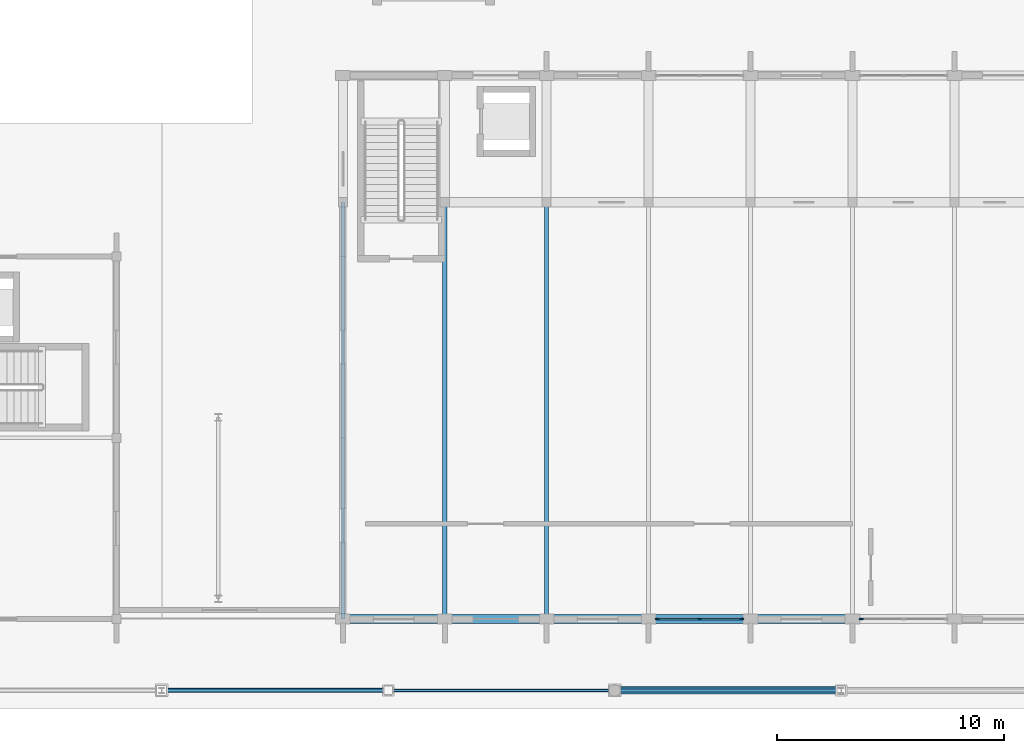
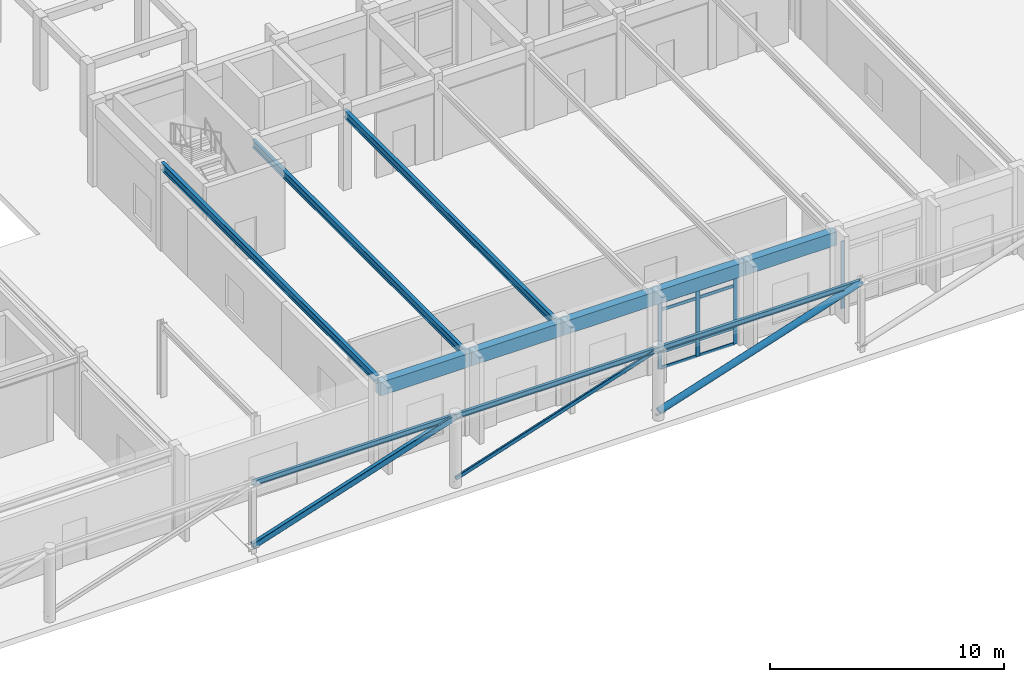
# One storey, part 12 of 61: 15 members, 11 beams, 2 elements without a shape of their own.
"""IFC4 building model written with IfcOpenShell, lengths in metres."""

from ifc_helpers import new_model, si_unit, direction, frame, origin, origin_2d, place, context, subcontext, project, spatial, rectangle, hollow_rectangle, hollow_circle, i_section, extrude, material, material_profile, profile_set, type_object, element, aggregate, save


model = new_model("IFC4")

# Units and contexts
model_context = context("Model", 3, precision=1e-05, world=origin(), true_north=direction((0.0, 1.0)))
body_context = subcontext(model_context, "Body", "Model", "MODEL_VIEW")
ifc_project = project(units=[si_unit("LENGTHUNIT", "METRE"), si_unit("AREAUNIT", "SQUARE_METRE"), si_unit("VOLUMEUNIT", "CUBIC_METRE"), si_unit("PLANEANGLEUNIT", "RADIAN"), si_unit("MASSUNIT", "GRAM", prefix="KILO")], contexts=[model_context])

# Site, building, storey
site_placement = place(None, origin())
site = spatial("IfcSite", under=ifc_project, at=site_placement, CompositionType="ELEMENT")
building_placement = place(site_placement, origin())
building = spatial("IfcBuilding", under=site, at=building_placement, Name="Zimvara Arc Housing Community", CompositionType="ELEMENT")
storey_placement = place(building_placement, origin())
storey = spatial("IfcBuildingStorey", under=building, at=storey_placement, Name="L00", CompositionType="ELEMENT", Elevation=0.0)

# Beams
ifc_material_1 = material(Name="Concrete C40/50", Category="concrete")
ifc_material_profile_1 = material_profile(ifc_material_1, rectangle(XDim=0.39990234375, YDim=0.699951171875, at=origin_2d()), Name="RC 400x700")
ifc_profile_set_1 = profile_set([ifc_material_profile_1], Name="Concrete C40/50")
beam_type_1 = type_object("IfcBeamType", Name="BM-RC-400x700", PredefinedType="BEAM", material=ifc_profile_set_1)
for number, where, z_axis, x_axis, name in (
    (1, (68.0, 3.60009765625, 3.889892578125), (1.0, 0.0, 0.0), (0.0, 1.0, 0.0), "bm:hall:L00:long:y0:b0"),
    (2, (72.5, 3.60009765625, 3.889892578125), (1.0, 0.0, 0.0), (0.0, 1.0, 0.0), "bm:hall:L00:long:y0:b1"),
    (3, (77.0, 3.60009765625, 3.889892578125), (1.0, 0.0, 0.0), (0.0, 1.0, 0.0), "bm:hall:L00:long:y0:b2"),
    (4, (81.5, 3.60009765625, 3.889892578125), (1.0, 0.0, 0.0), (0.0, 1.0, 0.0), "bm:hall:L00:long:y0:b3"),
    (5, (86.0, 3.60009765625, 3.889892578125), (1.0, 0.0, 0.0), (0.0, 1.0, 0.0), "bm:hall:L00:long:y0:b4"),
):
    element("IfcBeam", number, at=place(storey_placement, frame(where, z_axis=z_axis, x_axis=x_axis)), inside=storey, type_object=beam_type_1, Name=name, PredefinedType="BEAM", context=body_context, shape_type="SweptSolid", body=[
        extrude(rectangle(XDim=0.39990234375, YDim=0.699951171875, at=origin_2d()), origin(), (0.0, 0.0, 1.0), 4.5),
    ])
ifc_material_2 = material(Name="Steel S355", Category="steel")
ifc_material_profile_2 = material_profile(ifc_material_2, i_section(OverallWidth=0.135009765625, OverallDepth=0.27001953125, WebThickness=0.006591796875, FlangeThickness=0.01025390625, FilletRadius=0.014892578125, at=origin_2d()), Name="IPE 270")
ifc_profile_set_2 = profile_set([ifc_material_profile_2], Name="Steel S355")
beam_type_2 = type_object("IfcBeamType", Name="BM-ST-IPE270", PredefinedType="JOIST", material=ifc_profile_set_2)
for number, where, z_axis, x_axis, name in (
    (6, (60.0, 0.449951171875, 3.60009765625), (1.0, 0.0, 0.0), (0.0, 1.0, 0.0), "bm:colonnade:L00:s1:60"),
    (7, (70.0, 0.449951171875, 3.60009765625), (1.0, 0.0, 0.0), (0.0, 1.0, 0.0), "bm:colonnade:L00:s1:70"),
    (8, (80.0, 0.449951171875, 3.60009765625), (1.0, 0.0, 0.0), (0.0, 1.0, 0.0), "bm:colonnade:L00:s1:80"),
):
    element("IfcBeam", number, at=place(storey_placement, frame(where, z_axis=z_axis, x_axis=x_axis)), inside=storey, type_object=beam_type_2, Name=name, PredefinedType="JOIST", context=body_context, shape_type="SweptSolid", body=[
        extrude(i_section(OverallWidth=0.135009765625, OverallDepth=0.27001953125, WebThickness=0.006591796875, FlangeThickness=0.01025390625, FilletRadius=0.014892578125, at=origin_2d()), origin(), (0.0, 0.0, 1.0), 10.0),
    ])
ifc_material_3 = material(Name="Steel S355", Category="steel")
ifc_material_profile_3 = material_profile(ifc_material_3, i_section(OverallWidth=0.179931640625, OverallDepth=0.39990234375, WebThickness=0.008544921875, FlangeThickness=0.013427734375, FilletRadius=0.02099609375, at=origin_2d()), Name="IPE 400")
ifc_profile_set_3 = profile_set([ifc_material_profile_3], Name="Steel S355")
beam_type_3 = type_object("IfcBeamType", Name="BM-ST-IPE400", PredefinedType="BEAM", material=ifc_profile_set_3)
for number, where, z_axis, x_axis, name in (
    (9, (68.0, 3.60009765625, 4.300048828125), (0.0, 1.0, 0.0), (-1.0, 0.0, 0.0), "bm:hall:L00:trans1:x0"),
    (10, (72.5, 3.60009765625, 3.889892578125), (0.0, 1.0, 0.0), (-1.0, 0.0, 0.0), "bm:hall:L00:trans1:x1"),
    (11, (77.0, 3.60009765625, 3.889892578125), (0.0, 1.0, 0.0), (-1.0, 0.0, 0.0), "bm:hall:L00:trans1:x2"),
):
    element("IfcBeam", number, at=place(storey_placement, frame(where, z_axis=z_axis, x_axis=x_axis)), inside=storey, type_object=beam_type_3, Name=name, PredefinedType="BEAM", context=body_context, shape_type="SweptSolid", body=[
        extrude(i_section(OverallWidth=0.179931640625, OverallDepth=0.39990234375, WebThickness=0.008544921875, FlangeThickness=0.013427734375, FilletRadius=0.02099609375, at=origin_2d()), origin(), (0.0, 0.0, 1.0), 18.39990234375),
    ])

# Curtain wall, member
ifc_material_4 = material(Name="Anodised Aluminium AW-6063", Category="aluminium")
curtain_wall_type_1 = type_object("IfcCurtainWallType", Name="CW-SYS-08", PredefinedType="USERDEFINED", material=ifc_material_4)
curtain_wall_1_placement = place(storey_placement, origin())
curtain_wall_1 = element("IfcCurtainWall", 12, at=curtain_wall_1_placement, inside=storey, type_object=curtain_wall_type_1, Name="cw:hall:L00:south:b5", ObjectType="CURTAIN WALL", PredefinedType="USERDEFINED")
ifc_material_5 = material(Name="Anodised Aluminium AW-6063", Category="aluminium")
ifc_material_profile_4 = material_profile(ifc_material_5, rectangle(XDim=0.06494140625, YDim=0.179931640625, at=origin_2d()), Name="ALU 65x180")
ifc_profile_set_4 = profile_set([ifc_material_profile_4], Name="Anodised Aluminium AW-6063")
member_type_1 = type_object("IfcMemberType", Name="CWM-65x150", PredefinedType="MULLION", material=ifc_profile_set_4)
member_1_placement = place(storey_placement, frame((90.892578125, 3.60009765625, 0.0), z_axis=(0.0, 0.0, 1.0), x_axis=(0.0, 1.0, 0.0)))
member_1 = element("IfcMember", 13, at=member_1_placement, type_object=member_type_1, Name="CW08 mullion 1", PredefinedType="MULLION", context=body_context, shape_type="SweptSolid", body=[
    extrude(rectangle(XDim=0.06494140625, YDim=0.179931640625, at=origin_2d()), origin(), (0.0, 0.0, 1.0), 3.5),
])
aggregate(curtain_wall_1, [member_1])

# Curtain wall, members
ifc_material_6 = material(Name="Anodised Aluminium AW-6063", Category="aluminium")
curtain_wall_type_2 = type_object("IfcCurtainWallType", Name="CW-SYS-07", PredefinedType="USERDEFINED", material=ifc_material_6)
curtain_wall_2_placement = place(storey_placement, origin())
curtain_wall_2 = element("IfcCurtainWall", 14, at=curtain_wall_2_placement, inside=storey, type_object=curtain_wall_type_2, Name="cw:hall:L00:south:b3", ObjectType="CURTAIN WALL", PredefinedType="USERDEFINED")
ifc_material_7 = material(Name="Anodised Aluminium AW-6063", Category="aluminium")
ifc_material_profile_5 = material_profile(ifc_material_7, rectangle(XDim=0.06494140625, YDim=0.195068359375, at=origin_2d()), Name="ALU 65x195")
ifc_profile_set_5 = profile_set([ifc_material_profile_5], Name="Anodised Aluminium AW-6063")
member_type_2 = type_object("IfcMemberType", Name="CWM-65x180", PredefinedType="MULLION", material=ifc_profile_set_5)
member_2_placement = place(storey_placement, frame((81.892578125, 3.60009765625, 0.0), z_axis=(0.0, 0.0, 1.0), x_axis=(0.0, 1.0, 0.0)))
member_2 = element("IfcMember", 15, at=member_2_placement, type_object=member_type_2, Name="CW07 mullion 1", PredefinedType="MULLION", context=body_context, shape_type="SweptSolid", body=[
    extrude(rectangle(XDim=0.06494140625, YDim=0.195068359375, at=origin_2d()), origin(), (0.0, 0.0, 1.0), 3.5),
])
member_3_placement = place(storey_placement, frame((83.75, 3.60009765625, 0.0), z_axis=(0.0, 0.0, 1.0), x_axis=(0.0, 1.0, 0.0)))
member_3 = element("IfcMember", 16, at=member_3_placement, type_object=member_type_2, Name="CW07 mullion 2", PredefinedType="MULLION", context=body_context, shape_type="SweptSolid", body=[
    extrude(rectangle(XDim=0.06494140625, YDim=0.195068359375, at=origin_2d()), origin(), (0.0, 0.0, 1.0), 3.5),
])
member_4_placement = place(storey_placement, frame((85.607421875, 3.60009765625, 0.0), z_axis=(0.0, 0.0, 1.0), x_axis=(0.0, 1.0, 0.0)))
member_4 = element("IfcMember", 17, at=member_4_placement, type_object=member_type_2, Name="CW07 mullion 3", PredefinedType="MULLION", context=body_context, shape_type="SweptSolid", body=[
    extrude(rectangle(XDim=0.06494140625, YDim=0.195068359375, at=origin_2d()), origin(), (0.0, 0.0, 1.0), 3.5),
])
ifc_material_8 = material(Name="Anodised Aluminium AW-6063", Category="aluminium")
ifc_material_profile_6 = material_profile(ifc_material_8, rectangle(XDim=0.06494140625, YDim=0.155029296875, at=origin_2d()), Name="ALU 65x155")
ifc_profile_set_6 = profile_set([ifc_material_profile_6], Name="Anodised Aluminium AW-6063")
member_type_3 = type_object("IfcMemberType", Name="CWT-65x140", PredefinedType="USERDEFINED", material=ifc_profile_set_6)
member_5_placement = place(storey_placement, frame((81.925048828125, 3.60009765625, 0.032470703125), z_axis=(1.0, 0.0, 0.0), x_axis=(0.0, 1.0, 0.0)))
member_5 = element("IfcMember", 18, at=member_5_placement, type_object=member_type_3, Name="CW07 transom 1.1", ObjectType="TRANSOM", PredefinedType="USERDEFINED", context=body_context, shape_type="SweptSolid", body=[
    extrude(rectangle(XDim=0.06494140625, YDim=0.155029296875, at=origin_2d()), origin(), (0.0, 0.0, 1.0), 1.79248046875),
])
member_6_placement = place(storey_placement, frame((81.925048828125, 3.60009765625, 0.85009765625), z_axis=(1.0, 0.0, 0.0), x_axis=(0.0, 1.0, 0.0)))
member_6 = element("IfcMember", 19, at=member_6_placement, type_object=member_type_3, Name="CW07 transom 1.2", ObjectType="TRANSOM", PredefinedType="USERDEFINED", context=body_context, shape_type="SweptSolid", body=[
    extrude(rectangle(XDim=0.06494140625, YDim=0.155029296875, at=origin_2d()), origin(), (0.0, 0.0, 1.0), 1.79248046875),
])
member_7_placement = place(storey_placement, frame((81.925048828125, 3.60009765625, 3.050048828125), z_axis=(1.0, 0.0, 0.0), x_axis=(0.0, 1.0, 0.0)))
member_7 = element("IfcMember", 20, at=member_7_placement, type_object=member_type_3, Name="CW07 transom 1.3", ObjectType="TRANSOM", PredefinedType="USERDEFINED", context=body_context, shape_type="SweptSolid", body=[
    extrude(rectangle(XDim=0.06494140625, YDim=0.155029296875, at=origin_2d()), origin(), (0.0, 0.0, 1.0), 1.79248046875),
])
member_8_placement = place(storey_placement, frame((81.925048828125, 3.60009765625, 3.467529296875), z_axis=(1.0, 0.0, 0.0), x_axis=(0.0, 1.0, 0.0)))
member_8 = element("IfcMember", 21, at=member_8_placement, type_object=member_type_3, Name="CW07 transom 1.4", ObjectType="TRANSOM", PredefinedType="USERDEFINED", context=body_context, shape_type="SweptSolid", body=[
    extrude(rectangle(XDim=0.06494140625, YDim=0.155029296875, at=origin_2d()), origin(), (0.0, 0.0, 1.0), 1.79248046875),
])
member_9_placement = place(storey_placement, frame((83.782470703125, 3.60009765625, 0.032470703125), z_axis=(1.0, 0.0, 0.0), x_axis=(0.0, 1.0, 0.0)))
member_9 = element("IfcMember", 22, at=member_9_placement, type_object=member_type_3, Name="CW07 transom 2.1", ObjectType="TRANSOM", PredefinedType="USERDEFINED", context=body_context, shape_type="SweptSolid", body=[
    extrude(rectangle(XDim=0.06494140625, YDim=0.155029296875, at=origin_2d()), origin(), (0.0, 0.0, 1.0), 1.79248046875),
])
member_10_placement = place(storey_placement, frame((83.782470703125, 3.60009765625, 0.85009765625), z_axis=(1.0, 0.0, 0.0), x_axis=(0.0, 1.0, 0.0)))
member_10 = element("IfcMember", 23, at=member_10_placement, type_object=member_type_3, Name="CW07 transom 2.2", ObjectType="TRANSOM", PredefinedType="USERDEFINED", context=body_context, shape_type="SweptSolid", body=[
    extrude(rectangle(XDim=0.06494140625, YDim=0.155029296875, at=origin_2d()), origin(), (0.0, 0.0, 1.0), 1.79248046875),
])
member_11_placement = place(storey_placement, frame((83.782470703125, 3.60009765625, 3.050048828125), z_axis=(1.0, 0.0, 0.0), x_axis=(0.0, 1.0, 0.0)))
member_11 = element("IfcMember", 24, at=member_11_placement, type_object=member_type_3, Name="CW07 transom 2.3", ObjectType="TRANSOM", PredefinedType="USERDEFINED", context=body_context, shape_type="SweptSolid", body=[
    extrude(rectangle(XDim=0.06494140625, YDim=0.155029296875, at=origin_2d()), origin(), (0.0, 0.0, 1.0), 1.79248046875),
])
member_12_placement = place(storey_placement, frame((83.782470703125, 3.60009765625, 3.467529296875), z_axis=(1.0, 0.0, 0.0), x_axis=(0.0, 1.0, 0.0)))
member_12 = element("IfcMember", 25, at=member_12_placement, type_object=member_type_3, Name="CW07 transom 2.4", ObjectType="TRANSOM", PredefinedType="USERDEFINED", context=body_context, shape_type="SweptSolid", body=[
    extrude(rectangle(XDim=0.06494140625, YDim=0.155029296875, at=origin_2d()), origin(), (0.0, 0.0, 1.0), 1.79248046875),
])
aggregate(curtain_wall_2, [member_2, member_3, member_4, member_5, member_6, member_7, member_8, member_9, member_10, member_11, member_12])

# Members
ifc_material_9 = material(Name="Steel S355", Category="steel")
ifc_material_profile_7 = material_profile(ifc_material_9, hollow_rectangle(XDim=0.199951171875, YDim=0.300048828125, WallThickness=0.010009765625, InnerFilletRadius=0.010009765625, OuterFilletRadius=0.02001953125, at=origin_2d()), Name="RHS 300x200x10.0")
ifc_profile_set_7 = profile_set([ifc_material_profile_7], Name="Steel S355")
member_type_4 = type_object("IfcMemberType", Name="MB-CHORD-RHS300", PredefinedType="CHORD", material=ifc_profile_set_7)
member_13_placement = place(storey_placement, frame((60.0, 0.449951171875, 0.35009765625), z_axis=(0.951034068731, 0.0, 0.309086072338), x_axis=(0.0, 1.0, 0.0)))
element("IfcMember", 26, at=member_13_placement, inside=storey, type_object=member_type_4, Name="mb:colonnade:L00:s1:60", PredefinedType="CHORD", context=body_context, shape_type="SweptSolid", body=[
    extrude(hollow_rectangle(XDim=0.199951171875, YDim=0.300048828125, WallThickness=0.010009765625, InnerFilletRadius=0.010009765625, OuterFilletRadius=0.02001953125, at=origin_2d()), origin(), (0.0, 0.0, 1.0), 10.514892578125),
])
ifc_material_10 = material(Name="Steel S355", Category="steel")
ifc_material_profile_8 = material_profile(ifc_material_10, hollow_rectangle(XDim=0.10009765625, YDim=0.199951171875, WallThickness=0.008056640625, InnerFilletRadius=0.008056640625, OuterFilletRadius=0.01611328125, at=origin_2d()), Name="RHS 200x100x8.0")
ifc_profile_set_8 = profile_set([ifc_material_profile_8], Name="Steel S355")
member_type_5 = type_object("IfcMemberType", Name="MB-PURLIN-RHS200", PredefinedType="PURLIN", material=ifc_profile_set_8)
member_14_placement = place(storey_placement, frame((70.0, 0.449951171875, 0.35009765625), z_axis=(0.951034068731, 0.0, 0.309086072338), x_axis=(0.0, 1.0, 0.0)))
element("IfcMember", 27, at=member_14_placement, inside=storey, type_object=member_type_5, Name="mb:colonnade:L00:s1:70", PredefinedType="PURLIN", context=body_context, shape_type="SweptSolid", body=[
    extrude(hollow_rectangle(XDim=0.10009765625, YDim=0.199951171875, WallThickness=0.008056640625, InnerFilletRadius=0.008056640625, OuterFilletRadius=0.01611328125, at=origin_2d()), origin(), (0.0, 0.0, 1.0), 10.514892578125),
])
ifc_material_11 = material(Name="Steel S355", Category="steel")
ifc_material_profile_9 = material_profile(ifc_material_11, hollow_circle(Radius=0.161865234375, WallThickness=0.010009765625, at=origin_2d()), Name="CHS 323.9x10.0")
ifc_profile_set_9 = profile_set([ifc_material_profile_9], Name="Steel S355")
member_type_6 = type_object("IfcMemberType", Name="MB-STRUT-CHS324", PredefinedType="STRUT", material=ifc_profile_set_9)
member_15_placement = place(storey_placement, frame((80.0, 0.449951171875, 0.35009765625), z_axis=(0.951034068731, 0.0, 0.309086072338), x_axis=(0.0, 1.0, 0.0)))
element("IfcMember", 28, at=member_15_placement, inside=storey, type_object=member_type_6, Name="mb:colonnade:L00:s1:80", PredefinedType="STRUT", context=body_context, shape_type="SweptSolid", body=[
    extrude(hollow_circle(Radius=0.161865234375, WallThickness=0.010009765625, at=origin_2d()), origin(), (0.0, 0.0, 1.0), 10.514892578125),
])

save(model, "model.ifc")
